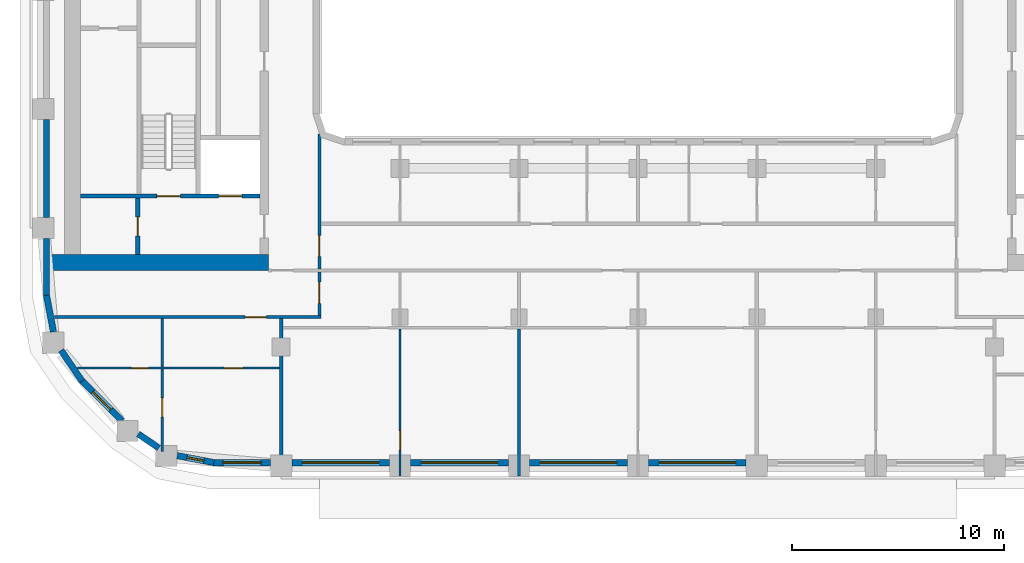
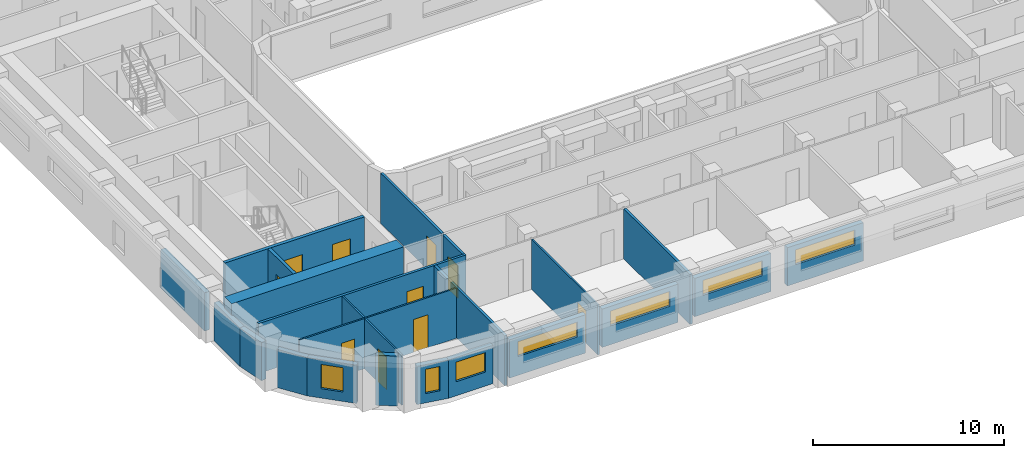
# One storey, part 2 of 22: 24 walls, 10 doors, 7 windows, 17 openings.
"""IFC4 building model written with IfcOpenShell, lengths in metres."""

from ifc_helpers import new_model, si_unit, direction, frame, frame_2d, origin, place, context, subcontext, project, spatial, rectangle, extrude, material, layer, layer_set, type_object, element, fill, save


model = new_model("IFC4")

# Units and contexts
model_context = context("Model", 3, precision=1e-05, world=origin(), true_north=direction((0.0, 1.0)))
body_context = subcontext(model_context, "Body", "Model", "MODEL_VIEW")
ifc_project = project(units=[si_unit("LENGTHUNIT", "METRE"), si_unit("AREAUNIT", "SQUARE_METRE"), si_unit("VOLUMEUNIT", "CUBIC_METRE"), si_unit("PLANEANGLEUNIT", "RADIAN"), si_unit("MASSUNIT", "GRAM", prefix="KILO")], contexts=[model_context])

# Site, building, storey
site_placement = place(None, origin())
site = spatial("IfcSite", under=ifc_project, at=site_placement, CompositionType="ELEMENT")
building_placement = place(site_placement, origin())
building = spatial("IfcBuilding", under=site, at=building_placement, Name="Kiln Ring Residences", CompositionType="ELEMENT")
storey_placement = place(building_placement, frame((0.0, 0.0, 167.60009765625)))
storey = spatial("IfcBuildingStorey", under=building, at=storey_placement, Name="L43", CompositionType="ELEMENT", Elevation=167.60009765625)

# Wall, opening, door
ifc_material_1 = material(Name="Gypsum board on steel studs", Category="steel")
ifc_layer_1 = layer(ifc_material_1, 0.199951171875)
ifc_layer_set_1 = layer_set([ifc_layer_1], Name="CORE-PARTITION-200")
wall_type_1 = type_object("IfcWallType", Name="CORE-PARTITION-200", PredefinedType="PARTITIONING", material=ifc_layer_set_1)
wall_1_placement = place(storey_placement, frame((-23.550048828125, -12.449951171875, 0.0), z_axis=(0.0, 0.0, 1.0), x_axis=(0.0, 1.0, 0.0)))
wall_1 = element("IfcWall", 1, at=wall_1_placement, inside=storey, type_object=wall_type_1, Name="Core partition west L43 5", PredefinedType="PARTITIONING", context=body_context, shape_type="SweptSolid", body=[
    extrude(rectangle(XDim=2.64990234375, YDim=0.199951171875, at=frame_2d((1.324951171875, 0.0))), origin(), (0.0, 0.0, 1.0), 3.199951171875),
])
opening_1_placement = place(wall_1_placement, frame((0.875, 0.0, 0.0)))
opening_1 = element("IfcOpeningElement", 2, at=opening_1_placement, cuts=wall_1, Name="Opening L43-CW10", PredefinedType="OPENING", context=body_context, shape_type="SweptSolid", body=[
    extrude(rectangle(XDim=0.89990234375, YDim=2.10009765625, at=frame_2d((0.449951171875, 1.050048828125))), frame((0.0, 0.10986328125, 0.0), z_axis=(0.0, -1.0, 0.0), x_axis=(1.0, 0.0, 0.0)), (0.0, 0.0, 1.0), 0.219970703125),
])
ifc_material_2 = material(Name="Steel door leaf", Category="steel")
door_type_1 = type_object("IfcDoorType", Name="CORE-DOOR-ROOM", OperationType="SINGLE_SWING_LEFT", PredefinedType="DOOR", material=ifc_material_2)
door_1_placement = place(opening_1_placement, origin())
door_1 = element("IfcDoor", 3, at=door_1_placement, inside=storey, type_object=door_type_1, Name="Store L43-CW10", OperationType="SINGLE_SWING_RIGHT", OverallHeight=2.10009765625, OverallWidth=0.89990234375, PredefinedType="DOOR", context=body_context, shape_type="SweptSolid", body=[
    extrude(rectangle(XDim=0.89990234375, YDim=2.10009765625, at=frame_2d((0.449951171875, 1.050048828125))), frame((0.0, 0.02490234375, 0.0), z_axis=(0.0, -1.0, 0.0), x_axis=(1.0, 0.0, 0.0)), (0.0, 0.0, 1.0), 0.050048828125),
])
fill(opening_1, door_1)

# Wall, openings, doors
ifc_material_3 = material(Name="Concrete C40/50", Category="concrete")
ifc_layer_2 = layer(ifc_material_3, 0.199951171875)
ifc_layer_set_2 = layer_set([ifc_layer_2], Name="CORE-WALL-RC200")
wall_type_2 = type_object("IfcWallType", Name="CORE-WALL-RC200", PredefinedType="SHEAR", material=ifc_layer_set_2)
wall_2_placement = place(storey_placement, frame((-17.800048828125, -9.699951171875, 0.0), z_axis=(0.0, 0.0, 1.0), x_axis=(-1.0, 0.0, 0.0)))
wall_2 = element("IfcWall", 4, at=wall_2_placement, inside=storey, type_object=wall_type_2, Name="Core wall west L43 8", PredefinedType="SHEAR", context=body_context, shape_type="SweptSolid", body=[
    extrude(rectangle(XDim=8.449951171875, YDim=0.199951171875, at=frame_2d((4.22509765625, 0.0))), origin(), (0.0, 0.0, 1.0), 3.199951171875),
])
opening_2_placement = place(wall_2_placement, frame((0.85009765625, 0.0, 0.0)))
opening_2 = element("IfcOpeningElement", 5, at=opening_2_placement, cuts=wall_2, Name="Opening L43-CW01", PredefinedType="OPENING", context=body_context, shape_type="SweptSolid", body=[
    extrude(rectangle(XDim=1.10009765625, YDim=2.10009765625, at=frame_2d((0.550048828125, 1.050048828125))), frame((0.0, 0.10986328125, 0.0), z_axis=(0.0, -1.0, 0.0), x_axis=(1.0, 0.0, 0.0)), (0.0, 0.0, 1.0), 0.219970703125),
])
opening_3_placement = place(wall_2_placement, frame((3.75, 0.0, 0.0)))
opening_3 = element("IfcOpeningElement", 6, at=opening_3_placement, cuts=wall_2, Name="Opening L43-CW12", PredefinedType="OPENING", context=body_context, shape_type="SweptSolid", body=[
    extrude(rectangle(XDim=1.10009765625, YDim=2.10009765625, at=frame_2d((0.550048828125, 1.050048828125))), frame((0.0, 0.10986328125, 0.0), z_axis=(0.0, -1.0, 0.0), x_axis=(1.0, 0.0, 0.0)), (0.0, 0.0, 1.0), 0.219970703125),
])
ifc_material_4 = material(Name="Steel door leaf", Category="steel")
door_type_2 = type_object("IfcDoorType", Name="CORE-DOOR-LD", OperationType="DOUBLE_DOOR_SLIDING", PredefinedType="DOOR", material=ifc_material_4)
door_2_placement = place(opening_2_placement, origin())
door_2 = element("IfcDoor", 7, at=door_2_placement, inside=storey, type_object=door_type_2, Name="LD W-SV L43-CW01", OperationType="DOUBLE_DOOR_SLIDING", OverallHeight=2.10009765625, OverallWidth=1.10009765625, PredefinedType="DOOR", context=body_context, shape_type="SweptSolid", body=[
    extrude(rectangle(XDim=1.10009765625, YDim=2.10009765625, at=frame_2d((0.550048828125, 1.050048828125))), frame((0.0, 0.02490234375, 0.0), z_axis=(0.0, -1.0, 0.0), x_axis=(1.0, 0.0, 0.0)), (0.0, 0.0, 1.0), 0.050048828125),
])
fill(opening_2, door_2)
ifc_material_5 = material(Name="Steel door leaf", Category="steel")
door_type_3 = type_object("IfcDoorType", Name="CORE-DOOR-STAIR", OperationType="SINGLE_SWING_LEFT", PredefinedType="DOOR", material=ifc_material_5)
door_3_placement = place(opening_3_placement, origin())
door_3 = element("IfcDoor", 8, at=door_3_placement, inside=storey, type_object=door_type_3, Name="Stair W-STS L43-CW12", OperationType="SINGLE_SWING_LEFT", OverallHeight=2.10009765625, OverallWidth=1.10009765625, PredefinedType="DOOR", context=body_context, shape_type="SweptSolid", body=[
    extrude(rectangle(XDim=1.10009765625, YDim=2.10009765625, at=frame_2d((0.550048828125, 1.050048828125))), frame((0.0, 0.02490234375, 0.0), z_axis=(0.0, -1.0, 0.0), x_axis=(1.0, 0.0, 0.0)), (0.0, 0.0, 1.0), 0.050048828125),
])
fill(opening_3, door_3)

# Wall
ifc_material_6 = material(Name="Concrete C60/75", Category="concrete")
ifc_layer_3 = layer(ifc_material_6, 0.75)
ifc_layer_set_3 = layer_set([ifc_layer_3], Name="CORE-WALL-RC750")
wall_type_3 = type_object("IfcWallType", Name="CORE-WALL-RC750", PredefinedType="SHEAR", material=ifc_layer_set_3)
wall_3_placement = place(storey_placement, frame((-17.39990234375, -12.824951171875, 0.0), z_axis=(0.0, 0.0, 1.0), x_axis=(-1.0, 0.0, 0.0)))
element("IfcWall", 9, at=wall_3_placement, inside=storey, type_object=wall_type_3, Name="Core wall west L43 5", PredefinedType="SHEAR", context=body_context, shape_type="SweptSolid", body=[
    extrude(rectangle(XDim=10.400146484375, YDim=0.75, at=frame_2d((5.2001953125, 0.0))), origin(), (0.0, 0.0, 1.0), 3.199951171875),
])

# Wall, opening, window
ifc_material_7 = material(Name="Brick masonry, dark clay brick", Category="masonry")
ifc_layer_4 = layer(ifc_material_7, 0.300048828125)
ifc_layer_set_4 = layer_set([ifc_layer_4], Name="EW-300 BRICK WALL")
wall_type_4 = type_object("IfcWallType", Name="EW-300 BRICK WALL", PredefinedType="SOLIDWALL", material=ifc_layer_set_4)
wall_4_placement = place(storey_placement, frame((-26.19677734375, -18.390869140625, 0.0), z_axis=(0.0, 0.0, 1.0), x_axis=(0.707061571201, -0.707151988282, 0.0)))
wall_4 = element("IfcWall", 10, at=wall_4_placement, inside=storey, type_object=wall_type_4, Name="Facade wall L43 1", PredefinedType="SOLIDWALL", context=body_context, shape_type="SweptSolid", body=[
    extrude(rectangle(XDim=2.7001953125, YDim=0.300048828125, at=frame_2d((1.35009765625, 0.0))), origin(), (0.0, 0.0, 1.0), 2.449951171875),
])
opening_4_placement = place(wall_4_placement, frame((0.75, 0.0, 0.60009765625)))
opening_4 = element("IfcOpeningElement", 11, at=opening_4_placement, cuts=wall_4, Name="Opening W1", PredefinedType="OPENING", context=body_context, shape_type="SweptSolid", body=[
    extrude(rectangle(XDim=1.199951171875, YDim=1.550048828125, at=frame_2d((0.60009765625, 0.77490234375))), frame((0.0, 0.159912109375, 0.0), z_axis=(0.0, -1.0, 0.0), x_axis=(1.0, 0.0, 0.0)), (0.0, 0.0, 1.0), 0.320068359375),
])
ifc_material_8 = material(Name="Aluminium frame with double glazing", Category="aluminium")
window_type_1 = type_object("IfcWindowType", Name="WINDOW 1200 x 1550", PartitioningType="SINGLE_PANEL", PredefinedType="WINDOW", material=ifc_material_8)
window_1_placement = place(opening_4_placement, origin())
window_1 = element("IfcWindow", 12, at=window_1_placement, inside=storey, type_object=window_type_1, Name="Window L43 1", OverallHeight=1.550048828125, OverallWidth=1.199951171875, PartitioningType="SINGLE_PANEL", PredefinedType="WINDOW", context=body_context, shape_type="SweptSolid", body=[
    extrude(rectangle(XDim=1.199951171875, YDim=1.550048828125, at=frame_2d((0.60009765625, 0.77490234375))), frame((0.0, 0.030029296875, 0.0), z_axis=(0.0, -1.0, 0.0), x_axis=(1.0, 0.0, 0.0)), (0.0, 0.0, 1.0), 0.06005859375),
])
fill(opening_4, window_1)

# Wall
wall_5_placement = place(storey_placement, frame((-23.533935546875, -20.904296875, 0.0), z_axis=(0.0, 0.0, 1.0), x_axis=(0.827103906596, -0.56204904385, 0.0)))
element("IfcWall", 13, at=wall_5_placement, inside=storey, type_object=wall_type_4, Name="Facade wall L43 2", PredefinedType="SOLIDWALL", context=body_context, shape_type="SweptSolid", body=[
    extrude(rectangle(XDim=1.17724609375, YDim=0.300048828125, at=frame_2d((0.588623046875, 0.0))), origin(), (0.0, 0.0, 1.0), 3.199951171875),
])

# Wall, opening, window
wall_6_placement = place(storey_placement, frame((-21.697021484375, -21.923583984375, 0.0), z_axis=(0.0, 0.0, 1.0), x_axis=(0.982284988433, -0.187393173565, 0.0)))
wall_6 = element("IfcWall", 14, at=wall_6_placement, inside=storey, type_object=wall_type_4, Name="Facade wall L43 3", PredefinedType="SOLIDWALL", context=body_context, shape_type="SweptSolid", body=[
    extrude(rectangle(XDim=1.756103515625, YDim=0.300048828125, at=frame_2d((0.8779296875, 0.0))), origin(), (0.0, 0.0, 1.0), 2.449951171875),
])
opening_5_placement = place(wall_6_placement, frame((0.47802734375, 0.0, 0.60009765625)))
opening_5 = element("IfcOpeningElement", 15, at=opening_5_placement, cuts=wall_6, Name="Opening W5", PredefinedType="OPENING", context=body_context, shape_type="SweptSolid", body=[
    extrude(rectangle(XDim=0.800048828125, YDim=1.550048828125, at=frame_2d((0.39990234375, 0.77490234375))), frame((0.0, 0.159912109375, 0.0), z_axis=(0.0, -1.0, 0.0), x_axis=(1.0, 0.0, 0.0)), (0.0, 0.0, 1.0), 0.320068359375),
])
ifc_material_9 = material(Name="Aluminium frame with double glazing", Category="aluminium")
window_type_2 = type_object("IfcWindowType", Name="WINDOW 800 x 1550", PartitioningType="SINGLE_PANEL", PredefinedType="WINDOW", material=ifc_material_9)
window_2_placement = place(opening_5_placement, origin())
window_2 = element("IfcWindow", 16, at=window_2_placement, inside=storey, type_object=window_type_2, Name="Window L43 2", OverallHeight=1.550048828125, OverallWidth=0.800048828125, PartitioningType="SINGLE_PANEL", PredefinedType="WINDOW", context=body_context, shape_type="SweptSolid", body=[
    extrude(rectangle(XDim=0.800048828125, YDim=1.550048828125, at=frame_2d((0.39990234375, 0.77490234375))), frame((0.0, 0.030029296875, 0.0), z_axis=(0.0, -1.0, 0.0), x_axis=(1.0, 0.0, 0.0)), (0.0, 0.0, 1.0), 0.06005859375),
])
fill(opening_5, window_2)

wall_7_placement = place(storey_placement, frame((-20.0, -22.25, 0.0), z_axis=(0.0, 0.0, 1.0), x_axis=(1.0, 0.0, 0.0)))
wall_7 = element("IfcWall", 17, at=wall_7_placement, inside=storey, type_object=wall_type_4, Name="Facade wall L43 4", PredefinedType="SOLIDWALL", context=body_context, shape_type="SweptSolid", body=[
    extrude(rectangle(XDim=2.699951171875, YDim=0.300048828125, at=frame_2d((1.35009765625, 0.0))), origin(), (0.0, 0.0, 1.0), 2.449951171875),
])
opening_6_placement = place(wall_7_placement, frame((0.449951171875, 0.0, 0.89990234375)))
opening_6 = element("IfcOpeningElement", 18, at=opening_6_placement, cuts=wall_7, Name="Opening W2", PredefinedType="OPENING", context=body_context, shape_type="SweptSolid", body=[
    extrude(rectangle(XDim=1.800048828125, YDim=1.25, at=frame_2d((0.89990234375, 0.625))), frame((0.0, 0.159912109375, 0.0), z_axis=(0.0, -1.0, 0.0), x_axis=(1.0, 0.0, 0.0)), (0.0, 0.0, 1.0), 0.320068359375),
])
ifc_material_10 = material(Name="Aluminium frame with double glazing", Category="aluminium")
window_type_3 = type_object("IfcWindowType", Name="WINDOW 1800 x 1250", PartitioningType="SINGLE_PANEL", PredefinedType="WINDOW", material=ifc_material_10)
window_3_placement = place(opening_6_placement, origin())
window_3 = element("IfcWindow", 19, at=window_3_placement, inside=storey, type_object=window_type_3, Name="Window L43 3", OverallHeight=1.25, OverallWidth=1.800048828125, PartitioningType="SINGLE_PANEL", PredefinedType="WINDOW", context=body_context, shape_type="SweptSolid", body=[
    extrude(rectangle(XDim=1.800048828125, YDim=1.25, at=frame_2d((0.89990234375, 0.625))), frame((0.0, 0.030029296875, 0.0), z_axis=(0.0, -1.0, 0.0), x_axis=(1.0, 0.0, 0.0)), (0.0, 0.0, 1.0), 0.06005859375),
])
fill(opening_6, window_3)

wall_8_placement = place(storey_placement, frame((-16.300048828125, -22.25, 0.0), z_axis=(0.0, 0.0, 1.0), x_axis=(1.0, 0.0, 0.0)))
wall_8 = element("IfcWall", 20, at=wall_8_placement, inside=storey, type_object=wall_type_4, Name="Facade wall L43 5", PredefinedType="SOLIDWALL", context=body_context, shape_type="SweptSolid", body=[
    extrude(rectangle(XDim=4.60009765625, YDim=0.300048828125, at=frame_2d((2.300048828125, 0.0))), origin(), (0.0, 0.0, 1.0), 2.449951171875),
])
opening_7_placement = place(wall_8_placement, frame((0.5, 0.0, 1.199951171875)))
opening_7 = element("IfcOpeningElement", 21, at=opening_7_placement, cuts=wall_8, Name="Opening W4", PredefinedType="OPENING", context=body_context, shape_type="SweptSolid", body=[
    extrude(rectangle(XDim=3.60009765625, YDim=0.949951171875, at=frame_2d((1.800048828125, 0.47509765625))), frame((0.0, 0.159912109375, 0.0), z_axis=(0.0, -1.0, 0.0), x_axis=(1.0, 0.0, 0.0)), (0.0, 0.0, 1.0), 0.320068359375),
])
ifc_material_11 = material(Name="Aluminium frame with double glazing", Category="aluminium")
window_type_4 = type_object("IfcWindowType", Name="WINDOW 3600 x 950", PartitioningType="SINGLE_PANEL", PredefinedType="WINDOW", material=ifc_material_11)
window_4_placement = place(opening_7_placement, origin())
window_4 = element("IfcWindow", 22, at=window_4_placement, inside=storey, type_object=window_type_4, Name="Window L43 4", OverallHeight=0.949951171875, OverallWidth=3.60009765625, PartitioningType="SINGLE_PANEL", PredefinedType="WINDOW", context=body_context, shape_type="SweptSolid", body=[
    extrude(rectangle(XDim=3.60009765625, YDim=0.949951171875, at=frame_2d((1.800048828125, 0.47509765625))), frame((0.0, 0.030029296875, 0.0), z_axis=(0.0, -1.0, 0.0), x_axis=(1.0, 0.0, 0.0)), (0.0, 0.0, 1.0), 0.06005859375),
])
fill(opening_7, window_4)

wall_9_placement = place(storey_placement, frame((-10.699951171875, -22.25, 0.0), z_axis=(0.0, 0.0, 1.0), x_axis=(1.0, 0.0, 0.0)))
wall_9 = element("IfcWall", 23, at=wall_9_placement, inside=storey, type_object=wall_type_4, Name="Facade wall L43 6", PredefinedType="SOLIDWALL", context=body_context, shape_type="SweptSolid", body=[
    extrude(rectangle(XDim=4.599853515625, YDim=0.300048828125, at=frame_2d((2.2998046875, 0.0))), origin(), (0.0, 0.0, 1.0), 2.449951171875),
])
opening_8_placement = place(wall_9_placement, frame((0.5, 0.0, 1.199951171875)))
opening_8 = element("IfcOpeningElement", 24, at=opening_8_placement, cuts=wall_9, Name="Opening W4", PredefinedType="OPENING", context=body_context, shape_type="SweptSolid", body=[
    extrude(rectangle(XDim=3.60009765625, YDim=0.949951171875, at=frame_2d((1.800048828125, 0.47509765625))), frame((0.0, 0.159912109375, 0.0), z_axis=(0.0, -1.0, 0.0), x_axis=(1.0, 0.0, 0.0)), (0.0, 0.0, 1.0), 0.320068359375),
])
window_5_placement = place(opening_8_placement, origin())
window_5 = element("IfcWindow", 25, at=window_5_placement, inside=storey, type_object=window_type_4, Name="Window L43 5", OverallHeight=0.949951171875, OverallWidth=3.60009765625, PartitioningType="SINGLE_PANEL", PredefinedType="WINDOW", context=body_context, shape_type="SweptSolid", body=[
    extrude(rectangle(XDim=3.60009765625, YDim=0.949951171875, at=frame_2d((1.800048828125, 0.47509765625))), frame((0.0, 0.030029296875, 0.0), z_axis=(0.0, -1.0, 0.0), x_axis=(1.0, 0.0, 0.0)), (0.0, 0.0, 1.0), 0.06005859375),
])
fill(opening_8, window_5)

wall_10_placement = place(storey_placement, frame((-5.10009765625, -22.25, 0.0), z_axis=(0.0, 0.0, 1.0), x_axis=(1.0, 0.0, 0.0)))
wall_10 = element("IfcWall", 26, at=wall_10_placement, inside=storey, type_object=wall_type_4, Name="Facade wall L43 7", PredefinedType="SOLIDWALL", context=body_context, shape_type="SweptSolid", body=[
    extrude(rectangle(XDim=4.60009765625, YDim=0.300048828125, at=frame_2d((2.300048828125, 0.0))), origin(), (0.0, 0.0, 1.0), 2.449951171875),
])
opening_9_placement = place(wall_10_placement, frame((0.5, 0.0, 1.199951171875)))
opening_9 = element("IfcOpeningElement", 27, at=opening_9_placement, cuts=wall_10, Name="Opening W4", PredefinedType="OPENING", context=body_context, shape_type="SweptSolid", body=[
    extrude(rectangle(XDim=3.60009765625, YDim=0.949951171875, at=frame_2d((1.800048828125, 0.47509765625))), frame((0.0, 0.159912109375, 0.0), z_axis=(0.0, -1.0, 0.0), x_axis=(1.0, 0.0, 0.0)), (0.0, 0.0, 1.0), 0.320068359375),
])
window_6_placement = place(opening_9_placement, origin())
window_6 = element("IfcWindow", 28, at=window_6_placement, inside=storey, type_object=window_type_4, Name="Window L43 6", OverallHeight=0.949951171875, OverallWidth=3.60009765625, PartitioningType="SINGLE_PANEL", PredefinedType="WINDOW", context=body_context, shape_type="SweptSolid", body=[
    extrude(rectangle(XDim=3.60009765625, YDim=0.949951171875, at=frame_2d((1.800048828125, 0.47509765625))), frame((0.0, 0.030029296875, 0.0), z_axis=(0.0, -1.0, 0.0), x_axis=(1.0, 0.0, 0.0)), (0.0, 0.0, 1.0), 0.06005859375),
])
fill(opening_9, window_6)

wall_11_placement = place(storey_placement, frame((0.5, -22.25, 0.0), z_axis=(0.0, 0.0, 1.0), x_axis=(1.0, 0.0, 0.0)))
wall_11 = element("IfcWall", 29, at=wall_11_placement, inside=storey, type_object=wall_type_4, Name="Facade wall L43 8", PredefinedType="SOLIDWALL", context=body_context, shape_type="SweptSolid", body=[
    extrude(rectangle(XDim=4.60009765625, YDim=0.300048828125, at=frame_2d((2.300048828125, 0.0))), origin(), (0.0, 0.0, 1.0), 2.449951171875),
])
opening_10_placement = place(wall_11_placement, frame((0.5, 0.0, 1.199951171875)))
opening_10 = element("IfcOpeningElement", 30, at=opening_10_placement, cuts=wall_11, Name="Opening W4", PredefinedType="OPENING", context=body_context, shape_type="SweptSolid", body=[
    extrude(rectangle(XDim=3.60009765625, YDim=0.949951171875, at=frame_2d((1.800048828125, 0.47509765625))), frame((0.0, 0.159912109375, 0.0), z_axis=(0.0, -1.0, 0.0), x_axis=(1.0, 0.0, 0.0)), (0.0, 0.0, 1.0), 0.320068359375),
])
window_7_placement = place(opening_10_placement, origin())
window_7 = element("IfcWindow", 31, at=window_7_placement, inside=storey, type_object=window_type_4, Name="Window L43 7", OverallHeight=0.949951171875, OverallWidth=3.60009765625, PartitioningType="SINGLE_PANEL", PredefinedType="WINDOW", context=body_context, shape_type="SweptSolid", body=[
    extrude(rectangle(XDim=3.60009765625, YDim=0.949951171875, at=frame_2d((1.800048828125, 0.47509765625))), frame((0.0, 0.030029296875, 0.0), z_axis=(0.0, -1.0, 0.0), x_axis=(1.0, 0.0, 0.0)), (0.0, 0.0, 1.0), 0.06005859375),
])
fill(opening_10, window_7)

# Walls
wall_12_placement = place(storey_placement, frame((-27.85009765625, -6.10009765625, 0.0), z_axis=(0.0, 0.0, 1.0), x_axis=(0.0, -1.0, 0.0)))
element("IfcWall", 32, at=wall_12_placement, inside=storey, type_object=wall_type_4, Name="Facade wall L43 45", PredefinedType="SOLIDWALL", context=body_context, shape_type="SweptSolid", body=[
    extrude(rectangle(XDim=4.599853515625, YDim=0.300048828125, at=frame_2d((2.2998046875, 0.0))), origin(), (0.0, 0.0, 1.0), 2.449951171875),
])
wall_13_placement = place(storey_placement, frame((-27.85009765625, -11.699951171875, 0.0), z_axis=(0.0, 0.0, 1.0), x_axis=(0.0, -1.0, 0.0)))
element("IfcWall", 33, at=wall_13_placement, inside=storey, type_object=wall_type_4, Name="Facade wall L43 46", PredefinedType="SOLIDWALL", context=body_context, shape_type="SweptSolid", body=[
    extrude(rectangle(XDim=2.699951171875, YDim=0.300048828125, at=frame_2d((1.35009765625, 0.0))), origin(), (0.0, 0.0, 1.0), 2.449951171875),
])
for number, where, z_axis, x_axis, name in (
    (34, (-27.8525390625, -14.371826171875, 0.0), (0.0, 0.0, 1.0), (0.187259034321, -0.982310569049, 0.0), "Facade wall L43 47"),
    (35, (-27.166015625, -16.96044921875, 0.0), (0.0, 0.0, 1.0), (0.562089443061, -0.82707645233, 0.0), "Facade wall L43 48"),
):
    element("IfcWall", number, at=place(storey_placement, frame(where, z_axis=z_axis, x_axis=x_axis)), inside=storey, type_object=wall_type_4, Name=name, PredefinedType="SOLIDWALL", context=body_context, shape_type="SweptSolid", body=[
        extrude(rectangle(XDim=1.756103515625, YDim=0.300048828125, at=frame_2d((0.8779296875, 0.0))), origin(), (0.0, 0.0, 1.0), 2.449951171875),
    ])

# Wall, openings, doors
ifc_material_12 = material(Name="Gypsum board on steel studs", Category="steel")
ifc_layer_5 = layer(ifc_material_12, 0.10009765625)
ifc_layer_set_5 = layer_set([ifc_layer_5], Name="PARTITION-100")
wall_type_5 = type_object("IfcWallType", Name="PARTITION-100", PredefinedType="PARTITIONING", material=ifc_layer_set_5)
wall_14_placement = place(storey_placement, frame((-26.39404296875, -17.800048828125, 0.0), z_axis=(0.0, 0.0, 1.0), x_axis=(1.0, 0.0, 0.0)))
wall_14 = element("IfcWall", 36, at=wall_14_placement, inside=storey, type_object=wall_type_5, Name="Partition 001", PredefinedType="PARTITIONING", context=body_context, shape_type="SweptSolid", body=[
    extrude(rectangle(XDim=9.51904296875, YDim=0.10009765625, at=frame_2d((4.759521484375, 0.0))), origin(), (0.0, 0.0, 1.0), 3.199951171875),
])
opening_11_placement = place(wall_14_placement, frame((2.5439453125, 0.0, 0.0)))
opening_11 = element("IfcOpeningElement", 37, at=opening_11_placement, cuts=wall_14, Name="Opening L43-D069", PredefinedType="OPENING", context=body_context, shape_type="SweptSolid", body=[
    extrude(rectangle(XDim=0.800048828125, YDim=2.10009765625, at=frame_2d((0.39990234375, 1.050048828125))), frame((0.0, 0.06005859375, 0.0), z_axis=(0.0, -1.0, 0.0), x_axis=(1.0, 0.0, 0.0)), (0.0, 0.0, 1.0), 0.1201171875),
])
opening_12_placement = place(wall_14_placement, frame((6.89404296875, 0.0, 0.0)))
opening_12 = element("IfcOpeningElement", 38, at=opening_12_placement, cuts=wall_14, Name="Opening L43-D070", PredefinedType="OPENING", context=body_context, shape_type="SweptSolid", body=[
    extrude(rectangle(XDim=0.89990234375, YDim=2.10009765625, at=frame_2d((0.449951171875, 1.050048828125))), frame((0.0, 0.06005859375, 0.0), z_axis=(0.0, -1.0, 0.0), x_axis=(1.0, 0.0, 0.0)), (0.0, 0.0, 1.0), 0.1201171875),
])
ifc_material_13 = material(Name="Timber door leaf", Category="wood")
door_type_4 = type_object("IfcDoorType", Name="FLAT-DOOR-800-PL", OperationType="SINGLE_SWING_LEFT", PredefinedType="DOOR", material=ifc_material_13)
door_4_placement = place(opening_11_placement, origin())
door_4 = element("IfcDoor", 39, at=door_4_placement, inside=storey, type_object=door_type_4, Name="Door L43-D069", OperationType="SINGLE_SWING_LEFT", OverallHeight=2.10009765625, OverallWidth=0.800048828125, PredefinedType="DOOR", context=body_context, shape_type="SweptSolid", body=[
    extrude(rectangle(XDim=0.800048828125, YDim=2.10009765625, at=frame_2d((0.39990234375, 1.050048828125))), frame((0.0, 0.02490234375, 0.0), z_axis=(0.0, -1.0, 0.0), x_axis=(1.0, 0.0, 0.0)), (0.0, 0.0, 1.0), 0.050048828125),
])
fill(opening_11, door_4)
ifc_material_14 = material(Name="Timber door leaf", Category="wood")
door_type_5 = type_object("IfcDoorType", Name="FLAT-DOOR-900-PL", OperationType="SINGLE_SWING_LEFT", PredefinedType="DOOR", material=ifc_material_14)
door_5_placement = place(opening_12_placement, origin())
door_5 = element("IfcDoor", 40, at=door_5_placement, inside=storey, type_object=door_type_5, Name="Door L43-D070", OperationType="SINGLE_SWING_RIGHT", OverallHeight=2.10009765625, OverallWidth=0.89990234375, PredefinedType="DOOR", context=body_context, shape_type="SweptSolid", body=[
    extrude(rectangle(XDim=0.89990234375, YDim=2.10009765625, at=frame_2d((0.449951171875, 1.050048828125))), frame((0.0, 0.02490234375, 0.0), z_axis=(0.0, -1.0, 0.0), x_axis=(1.0, 0.0, 0.0)), (0.0, 0.0, 1.0), 0.050048828125),
])
fill(opening_12, door_5)

# Wall, opening, door
wall_15_placement = place(storey_placement, frame((-22.39990234375, -21.719970703125, 0.0), z_axis=(0.0, 0.0, 1.0), x_axis=(0.0, 1.0, 0.0)))
wall_15 = element("IfcWall", 41, at=wall_15_placement, inside=storey, type_object=wall_type_5, Name="Partition 014", PredefinedType="PARTITIONING", context=body_context, shape_type="SweptSolid", body=[
    extrude(rectangle(XDim=3.869873046875, YDim=0.10009765625, at=frame_2d((1.93505859375, 0.0))), origin(), (0.0, 0.0, 1.0), 3.199951171875),
])
opening_13_placement = place(wall_15_placement, frame((1.6201171875, 0.0, 0.0)))
opening_13 = element("IfcOpeningElement", 42, at=opening_13_placement, cuts=wall_15, Name="Opening L43-D071", PredefinedType="OPENING", context=body_context, shape_type="SweptSolid", body=[
    extrude(rectangle(XDim=0.89990234375, YDim=2.10009765625, at=frame_2d((0.449951171875, 1.050048828125))), frame((0.0, 0.06005859375, 0.0), z_axis=(0.0, -1.0, 0.0), x_axis=(1.0, 0.0, 0.0)), (0.0, 0.0, 1.0), 0.1201171875),
])
door_6_placement = place(opening_13_placement, origin())
door_6 = element("IfcDoor", 43, at=door_6_placement, inside=storey, type_object=door_type_5, Name="Door L43-D071", OperationType="SINGLE_SWING_LEFT", OverallHeight=2.10009765625, OverallWidth=0.89990234375, PredefinedType="DOOR", context=body_context, shape_type="SweptSolid", body=[
    extrude(rectangle(XDim=0.89990234375, YDim=2.10009765625, at=frame_2d((0.449951171875, 1.050048828125))), frame((0.0, 0.02490234375, 0.0), z_axis=(0.0, -1.0, 0.0), x_axis=(1.0, 0.0, 0.0)), (0.0, 0.0, 1.0), 0.050048828125),
])
fill(opening_13, door_6)

# Wall
wall_16_placement = place(storey_placement, frame((-22.39990234375, -17.75, 0.0), z_axis=(0.0, 0.0, 1.0), x_axis=(0.0, 1.0, 0.0)))
element("IfcWall", 44, at=wall_16_placement, inside=storey, type_object=wall_type_5, Name="Partition 015", PredefinedType="PARTITIONING", context=body_context, shape_type="SweptSolid", body=[
    extrude(rectangle(XDim=2.27490234375, YDim=0.10009765625, at=frame_2d((1.137451171875, 0.0))), origin(), (0.0, 0.0, 1.0), 3.199951171875),
])

# Wall, opening, door
wall_17_placement = place(storey_placement, frame((-11.199951171875, -22.8798828125, 0.0), z_axis=(0.0, 0.0, 1.0), x_axis=(0.0, 1.0, 0.0)))
wall_17 = element("IfcWall", 45, at=wall_17_placement, inside=storey, type_object=wall_type_5, Name="Partition 026", PredefinedType="PARTITIONING", context=body_context, shape_type="SweptSolid", body=[
    extrude(rectangle(XDim=6.929931640625, YDim=0.10009765625, at=frame_2d((3.46484375, 0.0))), origin(), (0.0, 0.0, 1.0), 3.199951171875),
])
opening_14_placement = place(wall_17_placement, frame((1.219970703125, 0.0, 0.0)))
opening_14 = element("IfcOpeningElement", 46, at=opening_14_placement, cuts=wall_17, Name="Opening L43-D055", PredefinedType="OPENING", context=body_context, shape_type="SweptSolid", body=[
    extrude(rectangle(XDim=0.89990234375, YDim=2.10009765625, at=frame_2d((0.449951171875, 1.050048828125))), frame((0.0, 0.06005859375, 0.0), z_axis=(0.0, -1.0, 0.0), x_axis=(1.0, 0.0, 0.0)), (0.0, 0.0, 1.0), 0.1201171875),
])
door_7_placement = place(opening_14_placement, origin())
door_7 = element("IfcDoor", 47, at=door_7_placement, inside=storey, type_object=door_type_5, Name="Door L43-D055", OperationType="SINGLE_SWING_LEFT", OverallHeight=2.10009765625, OverallWidth=0.89990234375, PredefinedType="DOOR", context=body_context, shape_type="SweptSolid", body=[
    extrude(rectangle(XDim=0.89990234375, YDim=2.10009765625, at=frame_2d((0.449951171875, 1.050048828125))), frame((0.0, 0.02490234375, 0.0), z_axis=(0.0, -1.0, 0.0), x_axis=(1.0, 0.0, 0.0)), (0.0, 0.0, 1.0), 0.050048828125),
])
fill(opening_14, door_7)

ifc_material_15 = material(Name="Brick masonry partition", Category="masonry")
ifc_layer_6 = layer(ifc_material_15, 0.14990234375)
ifc_layer_set_6 = layer_set([ifc_layer_6], Name="PARTITION-150-ei60")
wall_type_6 = type_object("IfcWallType", Name="PARTITION-150-ei60", PredefinedType="PARTITIONING", material=ifc_layer_set_6)
wall_18_placement = place(storey_placement, frame((-27.48388671875, -15.39990234375, 0.0), z_axis=(0.0, 0.0, 1.0), x_axis=(1.0, 0.0, 0.0)))
wall_18 = element("IfcWall", 48, at=wall_18_placement, inside=storey, type_object=wall_type_6, Name="Partition 003", PredefinedType="PARTITIONING", context=body_context, shape_type="SweptSolid", body=[
    extrude(rectangle(XDim=12.558837890625, YDim=0.14990234375, at=frame_2d((6.279296875, 0.0))), origin(), (0.0, 0.0, 1.0), 3.199951171875),
])
opening_15_placement = place(wall_18_placement, frame((8.98388671875, 0.0, 0.0)))
opening_15 = element("IfcOpeningElement", 49, at=opening_15_placement, cuts=wall_18, Name="Opening L43-D068", PredefinedType="OPENING", context=body_context, shape_type="SweptSolid", body=[
    extrude(rectangle(XDim=1.0, YDim=2.10009765625, at=frame_2d((0.5, 1.050048828125))), frame((0.0, 0.0849609375, 0.0), z_axis=(0.0, -1.0, 0.0), x_axis=(1.0, 0.0, 0.0)), (0.0, 0.0, 1.0), 0.169921875),
])
ifc_material_16 = material(Name="Steel faced fire door leaf", Category="steel")
door_type_6 = type_object("IfcDoorType", Name="FLAT-DOOR-1000-FR", OperationType="SINGLE_SWING_LEFT", PredefinedType="DOOR", material=ifc_material_16)
door_8_placement = place(opening_15_placement, origin())
door_8 = element("IfcDoor", 50, at=door_8_placement, inside=storey, type_object=door_type_6, Name="Door L43-D068", OperationType="SINGLE_SWING_RIGHT", OverallHeight=2.10009765625, OverallWidth=1.0, PredefinedType="DOOR", context=body_context, shape_type="SweptSolid", body=[
    extrude(rectangle(XDim=1.0, YDim=2.10009765625, at=frame_2d((0.5, 1.050048828125))), frame((0.0, 0.02490234375, 0.0), z_axis=(0.0, -1.0, 0.0), x_axis=(1.0, 0.0, 0.0)), (0.0, 0.0, 1.0), 0.050048828125),
])
fill(opening_15, door_8)

# Wall
wall_19_placement = place(storey_placement, frame((-16.800048828125, -22.8798828125, 0.0), z_axis=(0.0, 0.0, 1.0), x_axis=(0.0, 1.0, 0.0)))
element("IfcWall", 51, at=wall_19_placement, inside=storey, type_object=wall_type_6, Name="Partition 018", PredefinedType="PARTITIONING", context=body_context, shape_type="SweptSolid", body=[
    extrude(rectangle(XDim=7.40478515625, YDim=0.14990234375, at=frame_2d((3.702392578125, 0.0))), origin(), (0.0, 0.0, 1.0), 3.199951171875),
])

# Wall, opening, door
wall_20_placement = place(storey_placement, frame((-15.0, -15.324951171875, 0.0), z_axis=(0.0, 0.0, 1.0), x_axis=(0.0, 1.0, 0.0)))
wall_20 = element("IfcWall", 52, at=wall_20_placement, inside=storey, type_object=wall_type_6, Name="Partition 020", PredefinedType="PARTITIONING", context=body_context, shape_type="SweptSolid", body=[
    extrude(rectangle(XDim=2.050048828125, YDim=0.14990234375, at=frame_2d((1.02490234375, 0.0))), origin(), (0.0, 0.0, 1.0), 3.199951171875),
])
opening_16_placement = place(wall_20_placement, frame((0.573974609375, 0.0, 0.0)))
opening_16 = element("IfcOpeningElement", 53, at=opening_16_placement, cuts=wall_20, Name="Opening L43-D052", PredefinedType="OPENING", context=body_context, shape_type="SweptSolid", body=[
    extrude(rectangle(XDim=1.0, YDim=2.10009765625, at=frame_2d((0.5, 1.050048828125))), frame((0.0, 0.0849609375, 0.0), z_axis=(0.0, -1.0, 0.0), x_axis=(1.0, 0.0, 0.0)), (0.0, 0.0, 1.0), 0.169921875),
])
door_9_placement = place(opening_16_placement, origin())
door_9 = element("IfcDoor", 54, at=door_9_placement, inside=storey, type_object=door_type_6, Name="Door L43-D052", OperationType="SINGLE_SWING_RIGHT", OverallHeight=2.10009765625, OverallWidth=1.0, PredefinedType="DOOR", context=body_context, shape_type="SweptSolid", body=[
    extrude(rectangle(XDim=1.0, YDim=2.10009765625, at=frame_2d((0.5, 1.050048828125))), frame((0.0, 0.02490234375, 0.0), z_axis=(0.0, -1.0, 0.0), x_axis=(1.0, 0.0, 0.0)), (0.0, 0.0, 1.0), 0.050048828125),
])
fill(opening_16, door_9)

wall_21_placement = place(storey_placement, frame((-15.0, -13.125, 0.0), z_axis=(0.0, 0.0, 1.0), x_axis=(0.0, 1.0, 0.0)))
wall_21 = element("IfcWall", 55, at=wall_21_placement, inside=storey, type_object=wall_type_6, Name="Partition 021", PredefinedType="PARTITIONING", context=body_context, shape_type="SweptSolid", body=[
    extrude(rectangle(XDim=6.356201171875, YDim=0.14990234375, at=frame_2d((3.17822265625, 0.0))), origin(), (0.0, 0.0, 1.0), 3.199951171875),
])
opening_17_placement = place(wall_21_placement, frame((0.574951171875, 0.0, 0.0)))
opening_17 = element("IfcOpeningElement", 56, at=opening_17_placement, cuts=wall_21, Name="Opening L43-D005", PredefinedType="OPENING", context=body_context, shape_type="SweptSolid", body=[
    extrude(rectangle(XDim=1.0, YDim=2.10009765625, at=frame_2d((0.5, 1.050048828125))), frame((0.0, 0.0849609375, 0.0), z_axis=(0.0, -1.0, 0.0), x_axis=(1.0, 0.0, 0.0)), (0.0, 0.0, 1.0), 0.169921875),
])
door_10_placement = place(opening_17_placement, origin())
door_10 = element("IfcDoor", 57, at=door_10_placement, inside=storey, type_object=door_type_6, Name="Door L43-D005", OperationType="SINGLE_SWING_RIGHT", OverallHeight=2.10009765625, OverallWidth=1.0, PredefinedType="DOOR", context=body_context, shape_type="SweptSolid", body=[
    extrude(rectangle(XDim=1.0, YDim=2.10009765625, at=frame_2d((0.5, 1.050048828125))), frame((0.0, 0.02490234375, 0.0), z_axis=(0.0, -1.0, 0.0), x_axis=(1.0, 0.0, 0.0)), (0.0, 0.0, 1.0), 0.050048828125),
])
fill(opening_17, door_10)

# Wall
wall_22_placement = place(storey_placement, frame((-5.60009765625, -22.8798828125, 0.0), z_axis=(0.0, 0.0, 1.0), x_axis=(0.0, 1.0, 0.0)))
element("IfcWall", 58, at=wall_22_placement, inside=storey, type_object=wall_type_6, Name="Partition 035", PredefinedType="PARTITIONING", context=body_context, shape_type="SweptSolid", body=[
    extrude(rectangle(XDim=6.929931640625, YDim=0.14990234375, at=frame_2d((3.46484375, 0.0))), origin(), (0.0, 0.0, 1.0), 3.199951171875),
])

save(model, "model.ifc")
